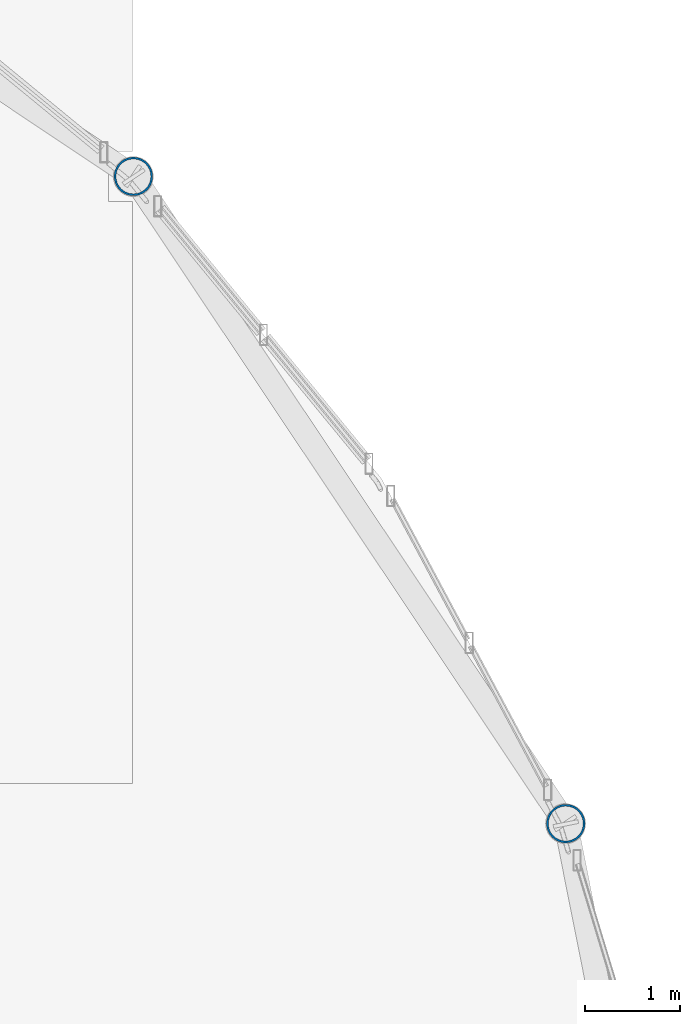
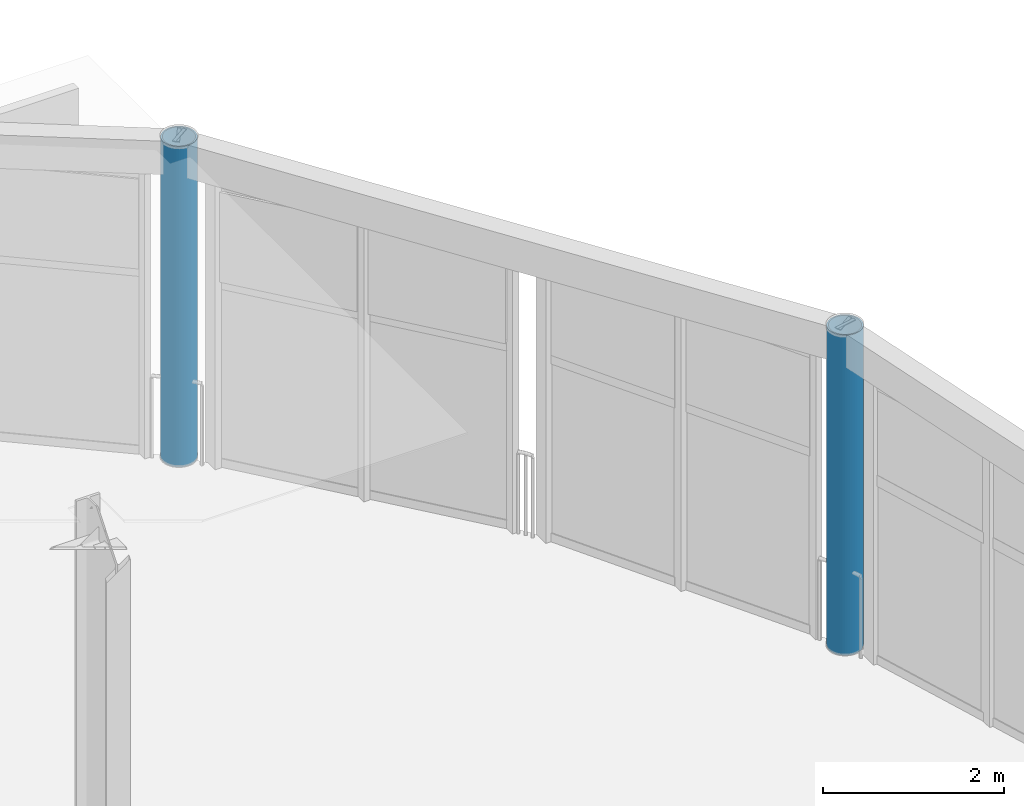
# One storey, part 7 of 105: 2 columns.
"""IFC4 building model written with IfcOpenShell, lengths in metres."""

from ifc_helpers import new_model, si_unit, direction, frame, origin, origin_2d, place, context, subcontext, project, spatial, hollow_circle, extrude, material, material_profile, profile_set, type_object, element, save


model = new_model("IFC4")

# Units and contexts
model_context = context("Model", 3, precision=1e-05, world=origin(), true_north=direction((0.0, 1.0)))
body_context = subcontext(model_context, "Body", "Model", "MODEL_VIEW")
ifc_project = project(units=[si_unit("LENGTHUNIT", "METRE"), si_unit("AREAUNIT", "SQUARE_METRE"), si_unit("VOLUMEUNIT", "CUBIC_METRE"), si_unit("PLANEANGLEUNIT", "RADIAN"), si_unit("MASSUNIT", "GRAM", prefix="KILO")], contexts=[model_context])

# Site, building, storey
site_placement = place(None, origin())
site = spatial("IfcSite", under=ifc_project, at=site_placement, CompositionType="ELEMENT")
building_placement = place(site_placement, origin())
building = spatial("IfcBuilding", under=site, at=building_placement, Name="Marlcrest Central Station", CompositionType="ELEMENT")
storey_placement = place(building_placement, frame((0.0, 0.0, 15.0)))
storey = spatial("IfcBuildingStorey", under=building, at=storey_placement, Name="L03", CompositionType="ELEMENT", Elevation=15.0)

# Columns
ifc_material = material(Name="Steel S355", Category="steel")
ifc_material_profile = material_profile(ifc_material, hollow_circle(Radius=0.203125, WallThickness=0.02001953125, at=origin_2d()), Name="CHS 406.4x20")
ifc_profile_set = profile_set([ifc_material_profile], Name="Steel S355")
column_type = type_object("IfcColumnType", Name="SC-10", PredefinedType="COLUMN", material=ifc_profile_set)
for number, where, z_axis, x_axis, name in (
    (1, (122.84912109375, 125.34912109375, 0.0), (0.0, 0.0, 1.0), (1.0, 0.0, 0.0), "col-SC-10-L03-0866"),
    (2, (127.40087890625, 118.535888671875, 0.0), (0.0, 0.0, 1.0), (1.0, 0.0, 0.0), "col-SC-10-L03-0870"),
):
    element("IfcColumn", number, at=place(storey_placement, frame(where, z_axis=z_axis, x_axis=x_axis)), inside=storey, type_object=column_type, Name=name, PredefinedType="COLUMN", context=body_context, shape_type="SweptSolid", body=[
        extrude(hollow_circle(Radius=0.203125, WallThickness=0.02001953125, at=origin_2d()), origin(), (0.0, 0.0, 1.0), 4.31005859375),
    ])

save(model, "model.ifc")
